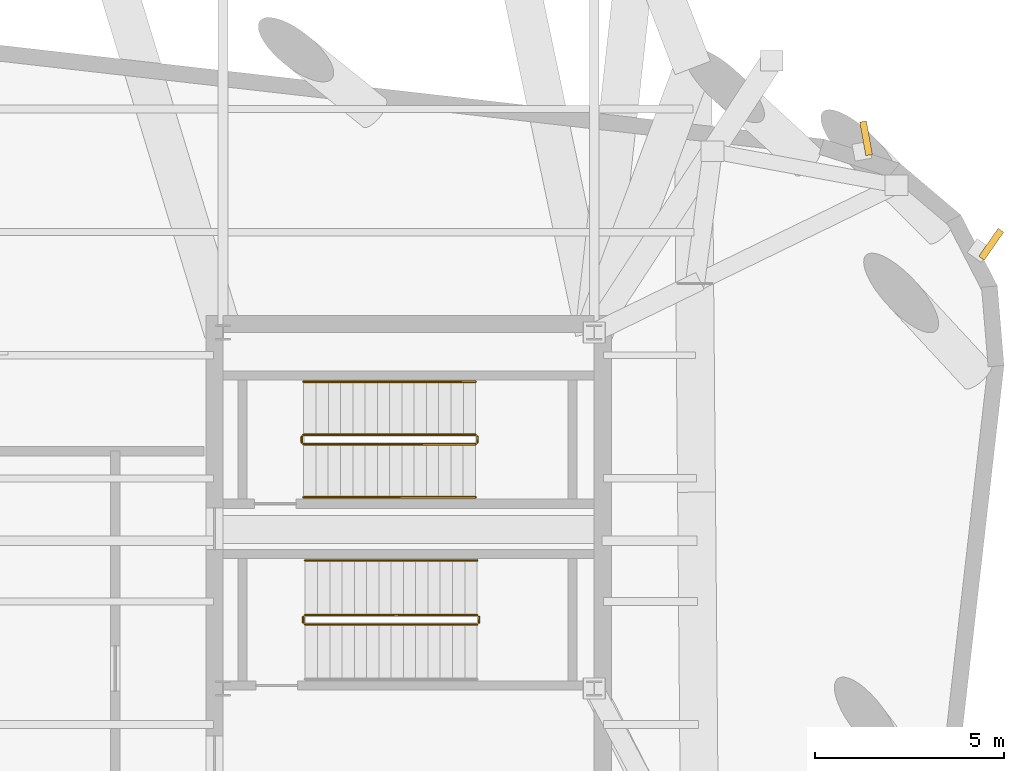
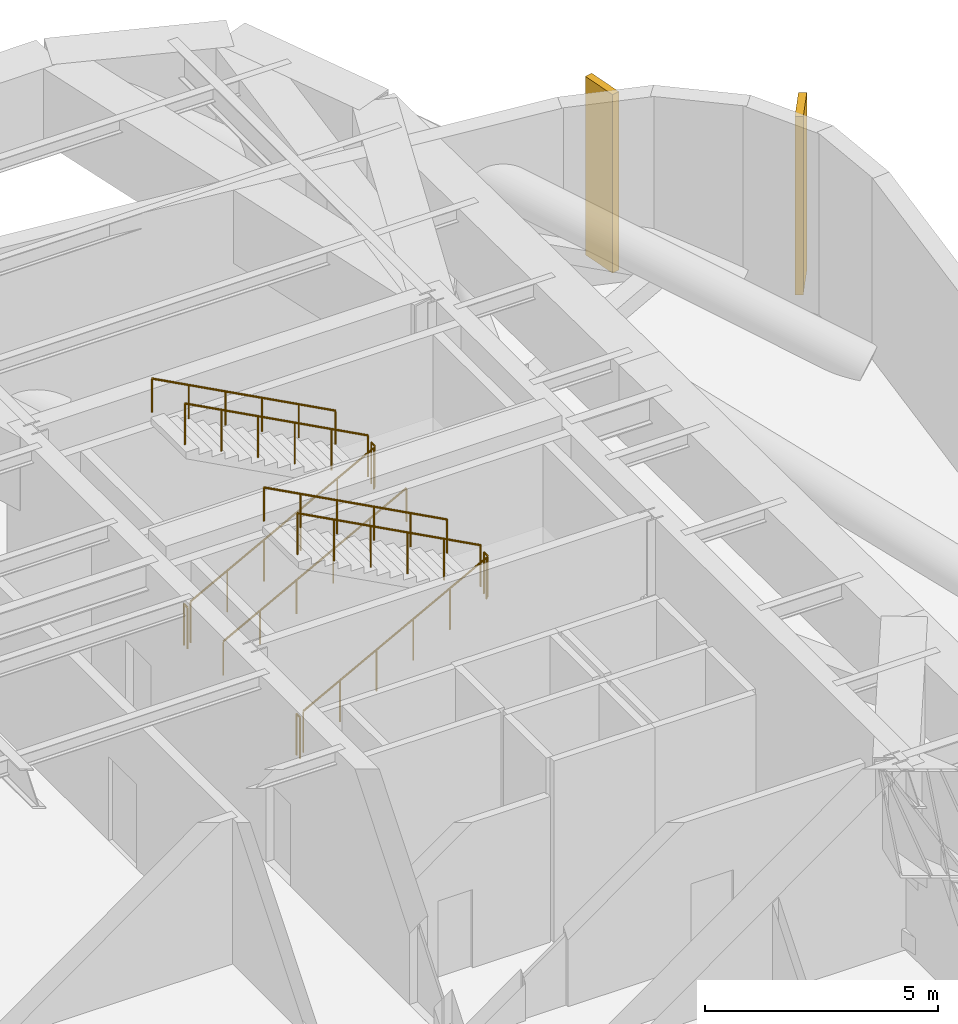
# One storey, part 12 of 12: 11 railings, 2 shading devices.
"""IFC4 building model written with IfcOpenShell, lengths in metres."""

import ifcopenshell
import ifcopenshell.guid

model = None  # the IFC model being written
_history = None  # IfcOwnerHistory: only IFC2X3 demands one
_inside = {}  # id of a spatial element -> (the spatial element, [elements in it])
_under = {}  # id of a project, library or spatial element -> (it, [spatial elements below it])
_declared = {}  # id of a project -> (the project, [libraries it declares])
_typed = {}  # id of a type object -> (the type object, [elements of that type])
_made_of = {}  # id of a material, layer set ... -> (it, [elements and type objects made of it])


def new_model(schema):
    """Start an empty IFC model of exactly this schema.

    Asked for "IFC4X3", IfcOpenShell would pick the latest addendum, in which some entities
    have other attributes; the version numbers below select the first issue.
    IFC2X3 requires an IfcOwnerHistory on every rooted entity: one is made here for all.
    """
    global model, _history
    if schema == "IFC4X3":
        model = ifcopenshell.file(schema_version=(4, 3, 0, 0))
    else:
        model = ifcopenshell.file(schema=schema)
    _inside.clear()
    _under.clear()
    _declared.clear()
    _typed.clear()
    _made_of.clear()
    _history = None
    if model.schema == "IFC2X3":
        org = make("IfcOrganization", Name="unknown")
        user = make(
            "IfcPersonAndOrganization",
            ThePerson=make("IfcPerson", FamilyName="unknown"),
            TheOrganization=org,
        )
        app = make(
            "IfcApplication",
            ApplicationDeveloper=org,
            Version="unknown",
            ApplicationFullName="unknown",
            ApplicationIdentifier="unknown",
        )
        _history = make(
            "IfcOwnerHistory",
            OwningUser=user,
            OwningApplication=app,
            ChangeAction="ADDED",
            CreationDate=0,
        )
    return model


def make(cls, **values):
    """One entity of the class cls with the attributes given. An attribute that is None is left unset."""
    return model.create_entity(
        cls, **{name: value for name, value in values.items() if value is not None}
    )


def rooted(cls, **values):
    """An entity with a GlobalId (a new one), such as an element, a storey or a relation."""
    return make(cls, GlobalId=ifcopenshell.guid.new(), OwnerHistory=_history, **values)


def si_unit(unit_type, name, prefix=None):
    """IfcSIUnit, for example si_unit("LENGTHUNIT", "METRE", prefix="MILLI")."""
    return make("IfcSIUnit", UnitType=unit_type, Prefix=prefix, Name=name)


def assignment(units):
    """IfcUnitAssignment: the units of a project."""
    return None if units is None else make("IfcUnitAssignment", Units=units)


def point(xyz):
    """IfcCartesianPoint."""
    return None if xyz is None else make("IfcCartesianPoint", Coordinates=xyz)


def direction(xyz):
    """IfcDirection."""
    return None if xyz is None else make("IfcDirection", DirectionRatios=xyz)


def frame(location, z_axis=None, x_axis=None):
    """IfcAxis2Placement3D, a coordinate frame: its origin and axes. An axis left out is left unset."""
    return make(
        "IfcAxis2Placement3D",
        Location=point(location),
        Axis=direction(z_axis),
        RefDirection=direction(x_axis),
    )


def frame_2d(location, x_axis=None):
    """IfcAxis2Placement2D, a coordinate frame in the plane: its origin and x axis."""
    return make(
        "IfcAxis2Placement2D", Location=point(location), RefDirection=direction(x_axis)
    )


def origin():
    """The frame at (0, 0, 0) with its axes left unset."""
    return frame((0.0, 0.0, 0.0))


def origin_2d():
    """The frame at (0, 0) in the plane with its x axis left unset."""
    return frame_2d((0.0, 0.0))


def place(relative_to, where):
    """IfcLocalPlacement: puts the frame where relative to a parent placement (None: the world)."""
    return make(
        "IfcLocalPlacement", PlacementRelTo=relative_to, RelativePlacement=where
    )


def context(
    kind, dimensions, precision=None, world=None, true_north=None, identifier=None
):
    """IfcGeometricRepresentationContext, for example the 3D "Model" context."""
    return make(
        "IfcGeometricRepresentationContext",
        ContextIdentifier=identifier,
        ContextType=kind,
        CoordinateSpaceDimension=dimensions,
        Precision=precision,
        WorldCoordinateSystem=world,
        TrueNorth=true_north,
    )


def subcontext(parent, identifier, kind, view, scale=None):
    """IfcGeometricRepresentationSubContext, for example "Body" below "Model"."""
    return make(
        "IfcGeometricRepresentationSubContext",
        ContextIdentifier=identifier,
        ContextType=kind,
        ParentContext=parent,
        TargetScale=scale,
        TargetView=view,
    )


def project(units=None, contexts=None):
    """IfcProject with its units and contexts."""
    return rooted(
        "IfcProject",
        Name="project",
        RepresentationContexts=contexts,
        UnitsInContext=assignment(units),
    )


def spatial(cls, under=None, at=None, **own):
    """A site, building, storey or space (cls), placed at a placement, below another one or the project."""
    s = rooted(cls, ObjectPlacement=at, **own)
    if under is not None:
        _under.setdefault(under.id(), (under, []))[1].append(s)
    return s


def profile(cls, at=None, kind="AREA", **sizes):
    """A parametric profile (cls). Its sizes go by their IFC names, for example OverallWidth=200.0."""
    return make(cls, ProfileType=kind, Position=at, **sizes)


def rectangle(**sizes):
    """IfcRectangleProfileDef."""
    return profile("IfcRectangleProfileDef", **sizes)


def circle(**sizes):
    """IfcCircleProfileDef."""
    return profile("IfcCircleProfileDef", **sizes)


def extrude(swept, where, along, depth):
    """IfcExtrudedAreaSolid: the profile swept, set in the frame where, extruded along a direction by depth."""
    return make(
        "IfcExtrudedAreaSolid",
        SweptArea=swept,
        Position=where,
        ExtrudedDirection=direction(along),
        Depth=depth,
    )


def shape(context_of_items, identifier, shape_type, items):
    """IfcShapeRepresentation: the items that make up one representation, for example the "Body"."""
    return make(
        "IfcShapeRepresentation",
        ContextOfItems=context_of_items,
        RepresentationIdentifier=identifier,
        RepresentationType=shape_type,
        Items=items,
    )


def material(Name=None, Category=None):
    """IfcMaterial."""
    return make("IfcMaterial", Name=Name, Category=Category)


def made_of(thing, what):
    """Note that an element or type object is made of a material, layer set ...; save() writes the relation."""
    if what is not None:
        _made_of.setdefault(what.id(), (what, []))[1].append(thing)
    return thing


def type_object(cls, material=None, **own):
    """A type object (cls), such as IfcWallType, which elements share."""
    return made_of(rooted(cls, **own), material)


def element(
    cls,
    number,
    at=None,
    inside=None,
    cuts=None,
    type_object=None,
    material=None,
    context=None,
    identifier="Body",
    shape_type=None,
    held_by="IfcProductDefinitionShape",
    body=None,
    shapes=None,
    **own,
):
    """One element of the class cls, such as IfcWall. Its Tag is "e" and its number.

    at: its placement. inside: the storey or other place that contains it. cuts: it is an
    opening in that element (IfcRelVoidsElement). A single representation is given by context,
    identifier, shape_type and body (its items); several are given by shapes. held_by: the class
    of the entity that holds the representations. save() writes the other relations.
    """
    e = rooted(cls, Tag="e%d" % number, ObjectPlacement=at, **own)
    if body is not None:
        shapes = [shape(context, identifier, shape_type, body)]
    if shapes is not None:
        e.Representation = make(held_by, Representations=shapes)
    if inside is not None:
        _inside.setdefault(inside.id(), (inside, []))[1].append(e)
    if cuts is not None:
        rooted(
            "IfcRelVoidsElement", RelatingBuildingElement=cuts, RelatedOpeningElement=e
        )
    if type_object is not None:
        _typed.setdefault(type_object.id(), (type_object, []))[1].append(e)
    return made_of(e, material)


def aggregate(whole, parts):
    """IfcRelAggregates: a whole, such as a stair, and the parts it consists of."""
    return rooted("IfcRelAggregates", RelatingObject=whole, RelatedObjects=parts)


def save(model, path):
    """Write the relations noted so far, then the file.

    IfcRelAggregates (storeys below a building ...), IfcRelContainedInSpatialStructure (elements
    in a storey), IfcRelDefinesByType, IfcRelAssociatesMaterial and IfcRelDeclares: one each for
    every whole, place, type object, material and project.
    """
    for whole, parts in _under.values():
        aggregate(whole, parts)
    for where, things in _inside.values():
        rooted(
            "IfcRelContainedInSpatialStructure",
            RelatedElements=things,
            RelatingStructure=where,
        )
    for kind, things in _typed.values():
        rooted("IfcRelDefinesByType", RelatedObjects=things, RelatingType=kind)
    for what, things in _made_of.values():
        rooted("IfcRelAssociatesMaterial", RelatedObjects=things, RelatingMaterial=what)
    for by, libraries in _declared.values():
        rooted("IfcRelDeclares", RelatingContext=by, RelatedDefinitions=libraries)
    model.write(path)


model = new_model("IFC4")

# Units and contexts
model_context = context("Model", 3, precision=1e-05, world=origin(), true_north=direction((0.0, 1.0)))
body_context = subcontext(model_context, "Body", "Model", "MODEL_VIEW")
ifc_project = project(units=[si_unit("LENGTHUNIT", "METRE"), si_unit("AREAUNIT", "SQUARE_METRE"), si_unit("VOLUMEUNIT", "CUBIC_METRE"), si_unit("PLANEANGLEUNIT", "RADIAN"), si_unit("MASSUNIT", "GRAM", prefix="KILO")], contexts=[model_context])

# Site, building, storey
site_placement = place(None, origin())
site = spatial("IfcSite", under=ifc_project, at=site_placement, CompositionType="ELEMENT")
building_placement = place(site_placement, origin())
building = spatial("IfcBuilding", under=site, at=building_placement, Name="Kolvaren Arena Tower", CompositionType="ELEMENT")
storey_placement = place(building_placement, frame((0.0, 0.0, 269.699951171875)))
storey = spatial("IfcBuildingStorey", under=building, at=storey_placement, Name="L66", CompositionType="ELEMENT", Elevation=269.699951171875)

# Railings
ifc_material_1 = material(Name="Painted galvanized steel", Category="steel")
railing_type_1 = type_object("IfcRailingType", Name="GUARD-ST-110", PredefinedType="GUARDRAIL", material=ifc_material_1)
railing_1_placement = place(storey_placement, frame((52.719970703125, 31.639892578125, 0.17333984375)))
element("IfcRailing", 1, at=railing_1_placement, inside=storey, type_object=railing_type_1, Name="L66 ST-E1 stair guard 1", PredefinedType="GUARDRAIL", context=body_context, shape_type="SweptSolid", body=[
    extrude(circle(Radius=0.02392578125, at=origin_2d()), frame((0.0, 0.0, 1.076171875), z_axis=(0.88174791909, 0.0, 0.471720899664), x_axis=(0.0, 1.0, 0.0)), (0.0, 0.0, 1.0), 5.14453125),
    extrude(circle(Radius=0.02099609375, at=origin_2d()), origin(), (0.0, 0.0, 1.0), 1.052001953125),
    extrude(circle(Radius=0.02099609375, at=origin_2d()), frame((0.9072265625, 0.0, 0.4853515625)), (0.0, 0.0, 1.0), 1.052001953125),
    extrude(circle(Radius=0.02099609375, at=origin_2d()), frame((1.814453125, 0.0, 0.970703125)), (0.0, 0.0, 1.0), 1.052001953125),
    extrude(circle(Radius=0.02099609375, at=origin_2d()), frame((2.7216796875, 0.0, 1.4560546875)), (0.0, 0.0, 1.0), 1.052001953125),
    extrude(circle(Radius=0.02099609375, at=origin_2d()), frame((3.62890625, 0.0, 1.94140625)), (0.0, 0.0, 1.0), 1.052001953125),
    extrude(circle(Radius=0.02099609375, at=origin_2d()), frame((4.5361328125, 0.0, 2.4267578125)), (0.0, 0.0, 1.0), 1.052001953125),
])
railing_2_placement = place(storey_placement, frame((57.305908203125, 31.68994140625, 2.60009765625)))
element("IfcRailing", 2, at=railing_2_placement, inside=storey, type_object=railing_type_1, Name="L66 ST-E1 stair guard 2", PredefinedType="GUARDRAIL", context=body_context, shape_type="SweptSolid", body=[
    extrude(circle(Radius=0.02392578125, at=origin_2d()), frame((0.0, 0.0, 1.076171875), z_axis=(0.0, 1.0, 0.0), x_axis=(-1.0, 0.0, 0.0)), (0.0, 0.0, 1.0), 0.150146484375),
    extrude(circle(Radius=0.02099609375, at=origin_2d()), origin(), (0.0, 0.0, 1.0), 1.052001953125),
    extrude(circle(Radius=0.02099609375, at=origin_2d()), frame((0.0, 0.150146484375, 0.0)), (0.0, 0.0, 1.0), 1.052001953125),
])
railing_3_placement = place(storey_placement, frame((57.256103515625, 31.889892578125, 2.7734375)))
element("IfcRailing", 3, at=railing_3_placement, inside=storey, type_object=railing_type_1, Name="L66 ST-E1 stair guard 3", PredefinedType="GUARDRAIL", context=body_context, shape_type="SweptSolid", body=[
    extrude(circle(Radius=0.02392578125, at=origin_2d()), frame((0.0, 0.0, 1.076171875), z_axis=(-0.881767657903, 0.0, 0.471684001717), x_axis=(0.0, -1.0, 0.0)), (0.0, 0.0, 1.0), 5.144287109375),
    extrude(circle(Radius=0.02099609375, at=origin_2d()), origin(), (0.0, 0.0, 1.0), 1.052001953125),
    extrude(circle(Radius=0.02099609375, at=origin_2d()), frame((-0.9072265625, 0.0, 0.4853515625)), (0.0, 0.0, 1.0), 1.052001953125),
    extrude(circle(Radius=0.02099609375, at=origin_2d()), frame((-1.814453125, 0.0, 0.970703125)), (0.0, 0.0, 1.0), 1.052001953125),
    extrude(circle(Radius=0.02099609375, at=origin_2d()), frame((-2.7216796875, 0.0, 1.455810546875)), (0.0, 0.0, 1.0), 1.052001953125),
    extrude(circle(Radius=0.02099609375, at=origin_2d()), frame((-3.62890625, 0.0, 1.941162109375)), (0.0, 0.0, 1.0), 1.052001953125),
    extrude(circle(Radius=0.02099609375, at=origin_2d()), frame((-4.5361328125, 0.0, 2.426513671875)), (0.0, 0.0, 1.0), 1.052001953125),
])
railing_4_placement = place(storey_placement, frame((52.669921875, 31.68994140625, 0.0)))
element("IfcRailing", 4, at=railing_4_placement, inside=storey, type_object=railing_type_1, Name="L66 ST-E1 stair guard 4", PredefinedType="GUARDRAIL", context=body_context, shape_type="SweptSolid", body=[
    extrude(circle(Radius=0.02392578125, at=origin_2d()), frame((0.0, 0.0, 1.076171875), z_axis=(0.0, 1.0, 0.0), x_axis=(-1.0, 0.0, 0.0)), (0.0, 0.0, 1.0), 0.150146484375),
    extrude(circle(Radius=0.02099609375, at=origin_2d()), origin(), (0.0, 0.0, 1.0), 1.052001953125),
    extrude(circle(Radius=0.02099609375, at=origin_2d()), frame((0.0, 0.150146484375, 0.0)), (0.0, 0.0, 1.0), 1.052001953125),
])
railing_5_placement = place(storey_placement, frame((52.679931640625, 36.39990234375, 0.17333984375)))
element("IfcRailing", 5, at=railing_5_placement, inside=storey, type_object=railing_type_1, Name="L66 ST-E2 stair guard 1", PredefinedType="GUARDRAIL", context=body_context, shape_type="SweptSolid", body=[
    extrude(circle(Radius=0.02392578125, at=origin_2d()), frame((0.0, 0.0, 1.076171875), z_axis=(0.88174791909, 0.0, 0.471720899664), x_axis=(0.0, 1.0, 0.0)), (0.0, 0.0, 1.0), 5.14453125),
    extrude(circle(Radius=0.02099609375, at=origin_2d()), origin(), (0.0, 0.0, 1.0), 1.052001953125),
    extrude(circle(Radius=0.02099609375, at=origin_2d()), frame((0.9072265625, 0.0, 0.4853515625)), (0.0, 0.0, 1.0), 1.052001953125),
    extrude(circle(Radius=0.02099609375, at=origin_2d()), frame((1.814453125, 0.0, 0.970703125)), (0.0, 0.0, 1.0), 1.052001953125),
    extrude(circle(Radius=0.02099609375, at=origin_2d()), frame((2.7216796875, 0.0, 1.4560546875)), (0.0, 0.0, 1.0), 1.052001953125),
    extrude(circle(Radius=0.02099609375, at=origin_2d()), frame((3.62890625, 0.0, 1.94140625)), (0.0, 0.0, 1.0), 1.052001953125),
    extrude(circle(Radius=0.02099609375, at=origin_2d()), frame((4.5361328125, 0.0, 2.4267578125)), (0.0, 0.0, 1.0), 1.052001953125),
])
railing_6_placement = place(storey_placement, frame((57.26611328125, 36.449951171875, 2.60009765625)))
element("IfcRailing", 6, at=railing_6_placement, inside=storey, type_object=railing_type_1, Name="L66 ST-E2 stair guard 2", PredefinedType="GUARDRAIL", context=body_context, shape_type="SweptSolid", body=[
    extrude(circle(Radius=0.02392578125, at=origin_2d()), frame((0.0, 0.0, 1.076171875), z_axis=(0.0, 1.0, 0.0), x_axis=(-1.0, 0.0, 0.0)), (0.0, 0.0, 1.0), 0.150146484375),
    extrude(circle(Radius=0.02099609375, at=origin_2d()), origin(), (0.0, 0.0, 1.0), 1.052001953125),
    extrude(circle(Radius=0.02099609375, at=origin_2d()), frame((0.0, 0.150146484375, 0.0)), (0.0, 0.0, 1.0), 1.052001953125),
])
railing_7_placement = place(storey_placement, frame((57.216064453125, 36.64990234375, 2.7734375)))
element("IfcRailing", 7, at=railing_7_placement, inside=storey, type_object=railing_type_1, Name="L66 ST-E2 stair guard 3", PredefinedType="GUARDRAIL", context=body_context, shape_type="SweptSolid", body=[
    extrude(circle(Radius=0.02392578125, at=origin_2d()), frame((0.0, 0.0, 1.076171875), z_axis=(-0.881767657903, 0.0, 0.471684001717), x_axis=(0.0, -1.0, 0.0)), (0.0, 0.0, 1.0), 5.144287109375),
    extrude(circle(Radius=0.02099609375, at=origin_2d()), origin(), (0.0, 0.0, 1.0), 1.052001953125),
    extrude(circle(Radius=0.02099609375, at=origin_2d()), frame((-0.9072265625, 0.0, 0.4853515625)), (0.0, 0.0, 1.0), 1.052001953125),
    extrude(circle(Radius=0.02099609375, at=origin_2d()), frame((-1.814453125, 0.0, 0.970703125)), (0.0, 0.0, 1.0), 1.052001953125),
    extrude(circle(Radius=0.02099609375, at=origin_2d()), frame((-2.7216796875, 0.0, 1.455810546875)), (0.0, 0.0, 1.0), 1.052001953125),
    extrude(circle(Radius=0.02099609375, at=origin_2d()), frame((-3.62890625, 0.0, 1.941162109375)), (0.0, 0.0, 1.0), 1.052001953125),
    extrude(circle(Radius=0.02099609375, at=origin_2d()), frame((-4.5361328125, 0.0, 2.426513671875)), (0.0, 0.0, 1.0), 1.052001953125),
])
railing_8_placement = place(storey_placement, frame((52.6298828125, 36.449951171875, 0.0)))
element("IfcRailing", 8, at=railing_8_placement, inside=storey, type_object=railing_type_1, Name="L66 ST-E2 stair guard 4", PredefinedType="GUARDRAIL", context=body_context, shape_type="SweptSolid", body=[
    extrude(circle(Radius=0.02392578125, at=origin_2d()), frame((0.0, 0.0, 1.076171875), z_axis=(0.0, 1.0, 0.0), x_axis=(-1.0, 0.0, 0.0)), (0.0, 0.0, 1.0), 0.150146484375),
    extrude(circle(Radius=0.02099609375, at=origin_2d()), origin(), (0.0, 0.0, 1.0), 1.052001953125),
    extrude(circle(Radius=0.02099609375, at=origin_2d()), frame((0.0, 0.150146484375, 0.0)), (0.0, 0.0, 1.0), 1.052001953125),
])
ifc_material_2 = material(Name="Brushed stainless steel handrail", Category="steel")
railing_type_2 = type_object("IfcRailingType", Name="HRAIL-900", PredefinedType="HANDRAIL", material=ifc_material_2)
railing_9_placement = place(storey_placement, frame((57.256103515625, 33.330078125, 2.7734375)))
element("IfcRailing", 9, at=railing_9_placement, inside=storey, type_object=railing_type_2, Name="L66 ST-E1 stair handrail 2", PredefinedType="HANDRAIL", context=body_context, shape_type="SweptSolid", body=[
    extrude(circle(Radius=0.02392578125, at=origin_2d()), frame((0.0, 0.0, 0.8759765625), z_axis=(-0.881767657903, 0.0, 0.471684001717), x_axis=(0.0, -1.0, 0.0)), (0.0, 0.0, 1.0), 5.144287109375),
    extrude(circle(Radius=0.02099609375, at=origin_2d()), origin(), (0.0, 0.0, 1.0), 0.851806640625),
    extrude(circle(Radius=0.02099609375, at=origin_2d()), frame((-0.9072265625, 0.0, 0.4853515625)), (0.0, 0.0, 1.0), 0.851806640625),
    extrude(circle(Radius=0.02099609375, at=origin_2d()), frame((-1.814453125, 0.0, 0.970703125)), (0.0, 0.0, 1.0), 0.851806640625),
    extrude(circle(Radius=0.02099609375, at=origin_2d()), frame((-2.7216796875, 0.0, 1.455810546875)), (0.0, 0.0, 1.0), 0.851806640625),
    extrude(circle(Radius=0.02099609375, at=origin_2d()), frame((-3.62890625, 0.0, 1.941162109375)), (0.0, 0.0, 1.0), 0.851806640625),
    extrude(circle(Radius=0.02099609375, at=origin_2d()), frame((-4.5361328125, 0.0, 2.426513671875)), (0.0, 0.0, 1.0), 0.851806640625),
])
railing_10_placement = place(storey_placement, frame((52.679931640625, 35.0, 0.17333984375)))
element("IfcRailing", 10, at=railing_10_placement, inside=storey, type_object=railing_type_2, Name="L66 ST-E2 stair handrail 1", PredefinedType="HANDRAIL", context=body_context, shape_type="SweptSolid", body=[
    extrude(circle(Radius=0.02392578125, at=origin_2d()), frame((0.0, 0.0, 0.8759765625), z_axis=(0.88174791909, 0.0, 0.471720899664), x_axis=(0.0, 1.0, 0.0)), (0.0, 0.0, 1.0), 5.14453125),
    extrude(circle(Radius=0.02099609375, at=origin_2d()), origin(), (0.0, 0.0, 1.0), 0.851806640625),
    extrude(circle(Radius=0.02099609375, at=origin_2d()), frame((0.9072265625, 0.0, 0.4853515625)), (0.0, 0.0, 1.0), 0.851806640625),
    extrude(circle(Radius=0.02099609375, at=origin_2d()), frame((1.814453125, 0.0, 0.970703125)), (0.0, 0.0, 1.0), 0.851806640625),
    extrude(circle(Radius=0.02099609375, at=origin_2d()), frame((2.7216796875, 0.0, 1.4560546875)), (0.0, 0.0, 1.0), 0.851806640625),
    extrude(circle(Radius=0.02099609375, at=origin_2d()), frame((3.62890625, 0.0, 1.94140625)), (0.0, 0.0, 1.0), 0.851806640625),
    extrude(circle(Radius=0.02099609375, at=origin_2d()), frame((4.5361328125, 0.0, 2.4267578125)), (0.0, 0.0, 1.0), 0.851806640625),
])
railing_11_placement = place(storey_placement, frame((57.216064453125, 38.050048828125, 2.7734375)))
element("IfcRailing", 11, at=railing_11_placement, inside=storey, type_object=railing_type_2, Name="L66 ST-E2 stair handrail 2", PredefinedType="HANDRAIL", context=body_context, shape_type="SweptSolid", body=[
    extrude(circle(Radius=0.02392578125, at=origin_2d()), frame((0.0, 0.0, 0.8759765625), z_axis=(-0.881767657903, 0.0, 0.471684001717), x_axis=(0.0, -1.0, 0.0)), (0.0, 0.0, 1.0), 5.144287109375),
    extrude(circle(Radius=0.02099609375, at=origin_2d()), origin(), (0.0, 0.0, 1.0), 0.851806640625),
    extrude(circle(Radius=0.02099609375, at=origin_2d()), frame((-0.9072265625, 0.0, 0.4853515625)), (0.0, 0.0, 1.0), 0.851806640625),
    extrude(circle(Radius=0.02099609375, at=origin_2d()), frame((-1.814453125, 0.0, 0.970703125)), (0.0, 0.0, 1.0), 0.851806640625),
    extrude(circle(Radius=0.02099609375, at=origin_2d()), frame((-2.7216796875, 0.0, 1.455810546875)), (0.0, 0.0, 1.0), 0.851806640625),
    extrude(circle(Radius=0.02099609375, at=origin_2d()), frame((-3.62890625, 0.0, 1.941162109375)), (0.0, 0.0, 1.0), 0.851806640625),
    extrude(circle(Radius=0.02099609375, at=origin_2d()), frame((-4.5361328125, 0.0, 2.426513671875)), (0.0, 0.0, 1.0), 0.851806640625),
])

# Shading devices
ifc_material_3 = material(Name="Precast architectural concrete C50/60 rib fin", Category="concrete")
shading_device_type = type_object("IfcShadingDeviceType", Name="SHAD-FIN-28", PredefinedType="USERDEFINED", material=ifc_material_3)
for number, where, z_axis, x_axis, name in (
    (12, (70.830810546875, 41.679931640625, 0.02001953125), (0.0, 0.0, 1.0), (0.569965213199, 0.821668823641, 0.0), "Precast 28-Deg Corner Rib Fin (L66)"),
    (13, (67.526611328125, 44.47705078125, 0.02001953125), (0.0, 0.0, 1.0), (-0.177965872603, 0.984036659982, 0.0), "Precast 28-Deg Corner Rib Fin (L66)"),
):
    element("IfcShadingDevice", number, at=place(storey_placement, frame(where, z_axis=z_axis, x_axis=x_axis)), inside=storey, type_object=shading_device_type, Name=name, ObjectType="FIN", PredefinedType="USERDEFINED", context=body_context, shape_type="SweptSolid", body=[
        extrude(rectangle(XDim=0.89990234375, YDim=0.179931640625, at=origin_2d()), origin(), (0.0, 0.0, 1.0), 4.669921875),
    ])

save(model, "model.ifc")
